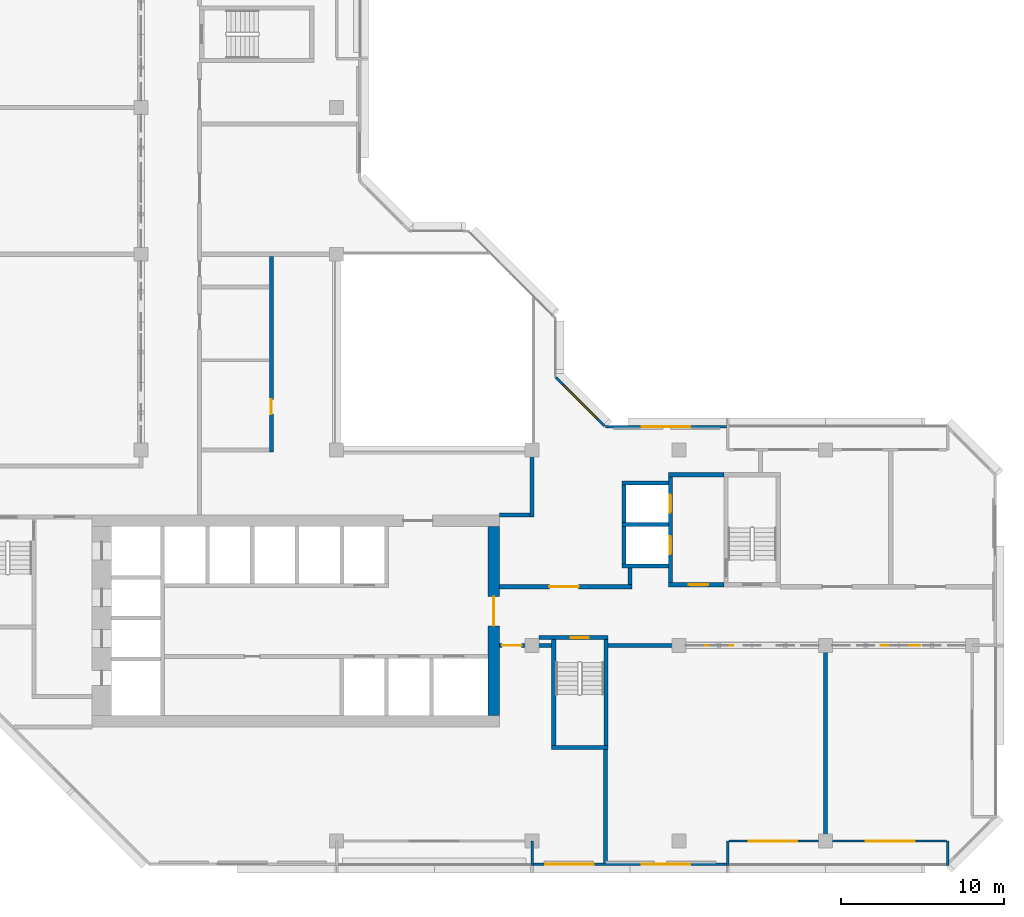
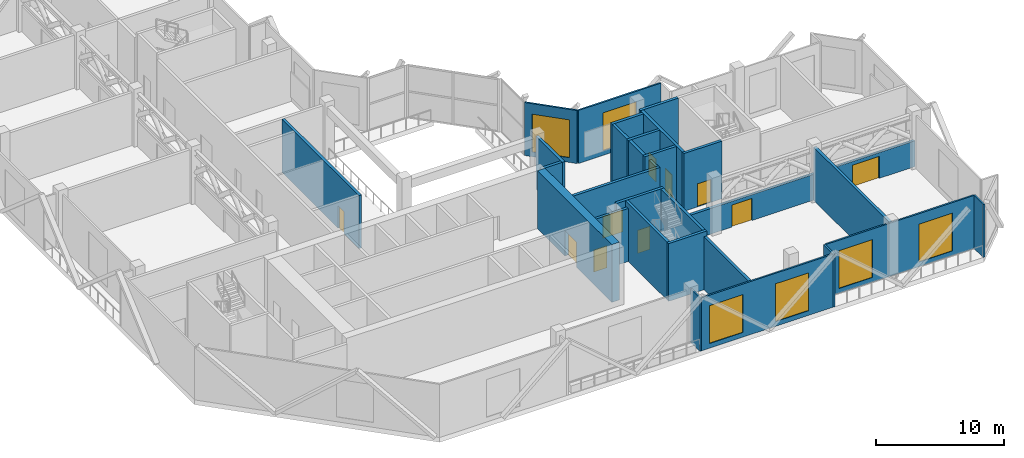
# One storey, part 7 of 14: 29 walls, 10 doors, 6 windows, 16 openings.
"""IFC4 building model written with IfcOpenShell, lengths in metres."""

from ifc_helpers import new_model, si_unit, direction, frame, frame_2d, origin, place, context, subcontext, project, spatial, rectangle, extrude, material, layer, layer_set, type_object, element, fill, save


model = new_model("IFC4")

# Units and contexts
model_context = context("Model", 3, precision=1e-05, world=origin(), true_north=direction((0.0, 1.0)))
body_context = subcontext(model_context, "Body", "Model", "MODEL_VIEW")
ifc_project = project(units=[si_unit("LENGTHUNIT", "METRE"), si_unit("AREAUNIT", "SQUARE_METRE"), si_unit("VOLUMEUNIT", "CUBIC_METRE"), si_unit("PLANEANGLEUNIT", "RADIAN"), si_unit("MASSUNIT", "GRAM", prefix="KILO")], contexts=[model_context])

# Site, building, storey
site_placement = place(None, origin())
site = spatial("IfcSite", under=ifc_project, at=site_placement, CompositionType="ELEMENT")
building_placement = place(site_placement, origin())
building = spatial("IfcBuilding", under=site, at=building_placement, Name="Chenar Terraces", CompositionType="ELEMENT")
storey_placement = place(building_placement, frame((0.0, 0.0, 256.64990234375)))
storey = spatial("IfcBuildingStorey", under=building, at=storey_placement, Name="L61", CompositionType="ELEMENT", Elevation=256.64990234375)

# Wall
ifc_material_1 = material(Name="Concrete C60/75", Category="concrete")
ifc_layer_1 = layer(ifc_material_1, 0.25)
ifc_layer_set_1 = layer_set([ifc_layer_1], Name="Concrete C60/75")
wall_type_1 = type_object("IfcWallType", Name="Core wall 250 Concrete C60/75", PredefinedType="SHEAR", material=ifc_layer_set_1)
wall_1_placement = place(storey_placement, frame((37.199951171875, 5.72509765625, 0.0), z_axis=(0.0, 0.0, 1.0), x_axis=(1.0, 0.0, 0.0)))
element("IfcWall", 1, at=wall_1_placement, inside=storey, type_object=wall_type_1, Name="Core wall ST2_S L61", PredefinedType="SHEAR", context=body_context, shape_type="SweptSolid", body=[
    extrude(rectangle(XDim=3.449951171875, YDim=0.25, at=frame_2d((1.72509765625, 0.0))), origin(), (0.0, 0.0, 1.0), 5.5),
])

# Wall, opening, door
wall_2_placement = place(storey_placement, frame((36.425048828125, 12.47509765625, 0.0), z_axis=(0.0, 0.0, 1.0), x_axis=(1.0, 0.0, 0.0)))
wall_2 = element("IfcWall", 2, at=wall_2_placement, inside=storey, type_object=wall_type_1, Name="Core wall ST2_N L61", PredefinedType="SHEAR", context=body_context, shape_type="SweptSolid", body=[
    extrude(rectangle(XDim=4.224853515625, YDim=0.25, at=frame_2d((2.1123046875, 0.0))), origin(), (0.0, 0.0, 1.0), 5.5),
])
opening_1_placement = place(wall_2_placement, frame((1.949951171875, 0.0, 0.0)))
opening_1 = element("IfcOpeningElement", 3, at=opening_1_placement, cuts=wall_2, Name="Opening DL61-C7", PredefinedType="OPENING", context=body_context, shape_type="SweptSolid", body=[
    extrude(rectangle(XDim=1.10009765625, YDim=2.199951171875, at=frame_2d((0.550048828125, 1.10009765625))), frame((0.0, 0.135009765625, 0.0), z_axis=(0.0, -1.0, 0.0), x_axis=(1.0, 0.0, 0.0)), (0.0, 0.0, 1.0), 0.27001953125),
])
ifc_material_2 = material(Name="Steel-framed fire-resisting door leaf", Category="steel")
door_type_1 = type_object("IfcDoorType", Name="Stair fire door FD60 1100 x 2200", OperationType="SINGLE_SWING_LEFT", PredefinedType="DOOR", material=ifc_material_2)
door_1_placement = place(opening_1_placement, frame((1.10009765625, 0.0, 0.0), z_axis=(0.0, 0.0, 1.0), x_axis=(-1.0, 0.0, 0.0)))
door_1 = element("IfcDoor", 4, at=door_1_placement, inside=storey, type_object=door_type_1, Name="Stair door DL61-C7", OperationType="SINGLE_SWING_LEFT", OverallHeight=2.199951171875, OverallWidth=1.10009765625, PredefinedType="DOOR", context=body_context, shape_type="SweptSolid", body=[
    extrude(rectangle(XDim=1.10009765625, YDim=2.199951171875, at=frame_2d((0.550048828125, 1.10009765625))), frame((0.0, 0.02490234375, 0.0), z_axis=(0.0, -1.0, 0.0), x_axis=(1.0, 0.0, 0.0)), (0.0, 0.0, 1.0), 0.050048828125),
])
fill(opening_1, door_1)

# Walls
for number, where, z_axis, x_axis, name in (
    (5, (37.324951171875, 5.85009765625, 0.0), (0.0, 0.0, 1.0), (0.0, 1.0, 0.0), "Core wall ST2_W L61"),
    (6, (40.52490234375, 5.85009765625, 0.0), (0.0, 0.0, 1.0), (0.0, 1.0, 0.0), "Core wall ST2_E L61"),
):
    element("IfcWall", number, at=place(storey_placement, frame(where, z_axis=z_axis, x_axis=x_axis)), inside=storey, type_object=wall_type_1, Name=name, PredefinedType="SHEAR", context=body_context, shape_type="SweptSolid", body=[
        extrude(rectangle(XDim=6.5, YDim=0.25, at=frame_2d((3.25, 0.0))), origin(), (0.0, 0.0, 1.0), 5.5),
    ])

# Wall, opening, door
wall_3_placement = place(storey_placement, frame((44.35009765625, 15.72509765625, 0.0), z_axis=(0.0, 0.0, 1.0), x_axis=(1.0, 0.0, 0.0)))
wall_3 = element("IfcWall", 7, at=wall_3_placement, inside=storey, type_object=wall_type_1, Name="Core wall F3_LS L61", PredefinedType="SHEAR", context=body_context, shape_type="SweptSolid", body=[
    extrude(rectangle(XDim=3.4248046875, YDim=0.25, at=frame_2d((1.71240234375, 0.0))), origin(), (0.0, 0.0, 1.0), 5.5),
])
opening_2_placement = place(wall_3_placement, frame((1.25, 0.0, 0.0)))
opening_2 = element("IfcOpeningElement", 8, at=opening_2_placement, cuts=wall_3, Name="Opening DL61-C10", PredefinedType="OPENING", context=body_context, shape_type="SweptSolid", body=[
    extrude(rectangle(XDim=1.199951171875, YDim=2.199951171875, at=frame_2d((0.60009765625, 1.10009765625))), frame((0.0, 0.135009765625, 0.0), z_axis=(0.0, -1.0, 0.0), x_axis=(1.0, 0.0, 0.0)), (0.0, 0.0, 1.0), 0.27001953125),
])
ifc_material_3 = material(Name="Steel-framed fire-resisting door leaf", Category="steel")
door_type_2 = type_object("IfcDoorType", Name="Lobby fire door FD60 1200 x 2200", OperationType="SINGLE_SWING_LEFT", PredefinedType="DOOR", material=ifc_material_3)
door_2_placement = place(opening_2_placement, origin())
door_2 = element("IfcDoor", 9, at=door_2_placement, inside=storey, type_object=door_type_2, Name="Core door DL61-C10", OperationType="SINGLE_SWING_RIGHT", OverallHeight=2.199951171875, OverallWidth=1.199951171875, PredefinedType="DOOR", context=body_context, shape_type="SweptSolid", body=[
    extrude(rectangle(XDim=1.199951171875, YDim=2.199951171875, at=frame_2d((0.60009765625, 1.10009765625))), frame((0.0, 0.02490234375, 0.0), z_axis=(0.0, -1.0, 0.0), x_axis=(1.0, 0.0, 0.0)), (0.0, 0.0, 1.0), 0.050048828125),
])
fill(opening_2, door_2)

# Wall
wall_4_placement = place(storey_placement, frame((44.35009765625, 22.47509765625, 0.0), z_axis=(0.0, 0.0, 1.0), x_axis=(1.0, 0.0, 0.0)))
element("IfcWall", 10, at=wall_4_placement, inside=storey, type_object=wall_type_1, Name="Core wall F3_LN L61", PredefinedType="SHEAR", context=body_context, shape_type="SweptSolid", body=[
    extrude(rectangle(XDim=3.4248046875, YDim=0.25, at=frame_2d((1.71240234375, 0.0))), origin(), (0.0, 0.0, 1.0), 5.5),
])

# Wall, openings, doors
wall_5_placement = place(storey_placement, frame((44.47509765625, 15.85009765625, 0.0), z_axis=(0.0, 0.0, 1.0), x_axis=(0.0, 1.0, 0.0)))
wall_5 = element("IfcWall", 11, at=wall_5_placement, inside=storey, type_object=wall_type_1, Name="Core wall F3_LW L61", PredefinedType="SHEAR", context=body_context, shape_type="SweptSolid", body=[
    extrude(rectangle(XDim=6.5, YDim=0.25, at=frame_2d((3.25, 0.0))), origin(), (0.0, 0.0, 1.0), 5.5),
])
opening_3_placement = place(wall_5_placement, frame((1.75, 0.0, 0.0)))
opening_3 = element("IfcOpeningElement", 12, at=opening_3_placement, cuts=wall_5, Name="Opening DL61-LD8", PredefinedType="OPENING", context=body_context, shape_type="SweptSolid", body=[
    extrude(rectangle(XDim=1.10009765625, YDim=2.199951171875, at=frame_2d((0.550048828125, 1.10009765625))), frame((0.0, 0.135009765625, 0.0), z_axis=(0.0, -1.0, 0.0), x_axis=(1.0, 0.0, 0.0)), (0.0, 0.0, 1.0), 0.27001953125),
])
opening_4_placement = place(wall_5_placement, frame((4.300048828125, 0.0, 0.0)))
opening_4 = element("IfcOpeningElement", 13, at=opening_4_placement, cuts=wall_5, Name="Opening DL61-LD9", PredefinedType="OPENING", context=body_context, shape_type="SweptSolid", body=[
    extrude(rectangle(XDim=1.10009765625, YDim=2.199951171875, at=frame_2d((0.550048828125, 1.10009765625))), frame((0.0, 0.135009765625, 0.0), z_axis=(0.0, -1.0, 0.0), x_axis=(1.0, 0.0, 0.0)), (0.0, 0.0, 1.0), 0.27001953125),
])
ifc_material_4 = material(Name="Stainless steel", Category="steel")
door_type_3 = type_object("IfcDoorType", Name="Lift landing door 1100 x 2200 sliding", OperationType="DOUBLE_DOOR_SLIDING", PredefinedType="DOOR", material=ifc_material_4)
door_3_placement = place(opening_3_placement, origin())
door_3 = element("IfcDoor", 14, at=door_3_placement, inside=storey, type_object=door_type_3, Name="Landing door F3", OperationType="DOUBLE_DOOR_SLIDING", OverallHeight=2.199951171875, OverallWidth=1.10009765625, PredefinedType="DOOR", context=body_context, shape_type="SweptSolid", body=[
    extrude(rectangle(XDim=1.10009765625, YDim=2.199951171875, at=frame_2d((0.550048828125, 1.10009765625))), frame((0.0, 0.02490234375, 0.0), z_axis=(0.0, -1.0, 0.0), x_axis=(1.0, 0.0, 0.0)), (0.0, 0.0, 1.0), 0.050048828125),
])
fill(opening_3, door_3)
door_4_placement = place(opening_4_placement, origin())
door_4 = element("IfcDoor", 15, at=door_4_placement, inside=storey, type_object=door_type_3, Name="Landing door F4", OperationType="DOUBLE_DOOR_SLIDING", OverallHeight=2.199951171875, OverallWidth=1.10009765625, PredefinedType="DOOR", context=body_context, shape_type="SweptSolid", body=[
    extrude(rectangle(XDim=1.10009765625, YDim=2.199951171875, at=frame_2d((0.550048828125, 1.10009765625))), frame((0.0, 0.02490234375, 0.0), z_axis=(0.0, -1.0, 0.0), x_axis=(1.0, 0.0, 0.0)), (0.0, 0.0, 1.0), 0.050048828125),
])
fill(opening_4, door_4)

# Walls
for number, where, z_axis, x_axis, name in (
    (16, (41.5, 16.875, 0.0), (0.0, 0.0, 1.0), (1.0, 0.0, 0.0), "Core wall F3_SS L61"),
    (17, (41.5, 19.425048828125, 0.0), (0.0, 0.0, 1.0), (1.0, 0.0, 0.0), "Core wall F3_SM L61"),
    (18, (41.5, 21.97509765625, 0.0), (0.0, 0.0, 1.0), (1.0, 0.0, 0.0), "Core wall F4_SN L61"),
):
    element("IfcWall", number, at=place(storey_placement, frame(where, z_axis=z_axis, x_axis=x_axis)), inside=storey, type_object=wall_type_1, Name=name, PredefinedType="SHEAR", context=body_context, shape_type="SweptSolid", body=[
        extrude(rectangle(XDim=2.85009765625, YDim=0.25, at=frame_2d((1.425048828125, 0.0))), origin(), (0.0, 0.0, 1.0), 5.5),
    ])
for number, where, z_axis, x_axis, name in (
    (19, (41.625, 17.0, 0.0), (0.0, 0.0, 1.0), (0.0, 1.0, 0.0), "Core wall F3_SW L61"),
    (20, (41.625, 19.550048828125, 0.0), (0.0, 0.0, 1.0), (0.0, 1.0, 0.0), "Core wall F4_SW L61"),
):
    element("IfcWall", number, at=place(storey_placement, frame(where, z_axis=z_axis, x_axis=x_axis)), inside=storey, type_object=wall_type_1, Name=name, PredefinedType="SHEAR", context=body_context, shape_type="SweptSolid", body=[
        extrude(rectangle(XDim=2.300048828125, YDim=0.25, at=frame_2d((1.14990234375, 0.0))), origin(), (0.0, 0.0, 1.0), 5.5),
    ])

# Wall, opening, door
ifc_material_5 = material(Name="Concrete C60/75", Category="concrete")
ifc_layer_2 = layer(ifc_material_5, 0.699951171875)
ifc_layer_set_2 = layer_set([ifc_layer_2], Name="Concrete C60/75")
wall_type_2 = type_object("IfcWallType", Name="Core wall 700 Concrete C60/75", PredefinedType="SHEAR", material=ifc_layer_set_2)
wall_6_placement = place(storey_placement, frame((33.64990234375, 7.699951171875, 0.0), z_axis=(0.0, 0.0, 1.0), x_axis=(0.0, 1.0, 0.0)))
wall_6 = element("IfcWall", 21, at=wall_6_placement, inside=storey, type_object=wall_type_2, Name="Core wall E L61", PredefinedType="SHEAR", context=body_context, shape_type="SweptSolid", body=[
    extrude(rectangle(XDim=11.60009765625, YDim=0.699951171875, at=frame_2d((5.800048828125, 0.0))), origin(), (0.0, 0.0, 1.0), 5.5),
])
opening_5_placement = place(wall_6_placement, frame((5.5, 0.0, 0.0)))
opening_5 = element("IfcOpeningElement", 22, at=opening_5_placement, cuts=wall_6, Name="Opening DL61-C1", PredefinedType="OPENING", context=body_context, shape_type="SweptSolid", body=[
    extrude(rectangle(XDim=1.800048828125, YDim=2.39990234375, at=frame_2d((0.89990234375, 1.199951171875))), frame((0.0, 0.35986328125, 0.0), z_axis=(0.0, -1.0, 0.0), x_axis=(1.0, 0.0, 0.0)), (0.0, 0.0, 1.0), 0.719970703125),
])
ifc_material_6 = material(Name="Steel-framed fire-resisting door leaf", Category="steel")
door_type_4 = type_object("IfcDoorType", Name="Core entrance double fire door FD60 1800 x 2400", OperationType="DOUBLE_DOOR_SINGLE_SWING", PredefinedType="DOOR", material=ifc_material_6)
door_5_placement = place(opening_5_placement, origin())
door_5 = element("IfcDoor", 23, at=door_5_placement, inside=storey, type_object=door_type_4, Name="Core door DL61-C1", OperationType="DOUBLE_DOOR_SINGLE_SWING", OverallHeight=2.39990234375, OverallWidth=1.800048828125, PredefinedType="DOOR", context=body_context, shape_type="SweptSolid", body=[
    extrude(rectangle(XDim=1.800048828125, YDim=2.39990234375, at=frame_2d((0.89990234375, 1.199951171875))), frame((0.0, 0.02490234375, 0.0), z_axis=(0.0, -1.0, 0.0), x_axis=(1.0, 0.0, 0.0)), (0.0, 0.0, 1.0), 0.050048828125),
])
fill(opening_5, door_5)

# Wall, opening, window
ifc_material_7 = material(Name="Aluminium framed glazing", Category="aluminium")
ifc_layer_3 = layer(ifc_material_7, 0.14990234375)
ifc_layer_set_3 = layer_set([ifc_layer_3], Name="Aluminium framed glazing")
wall_type_3 = type_object("IfcWallType", Name="Glazed flush facade wall 150", PredefinedType="SOLIDWALL", material=ifc_layer_set_3)
wall_7_placement = place(storey_placement, frame((47.925048828125, 25.425048828125, 0.0), z_axis=(0.0, 0.0, 1.0), x_axis=(-1.0, 0.0, 0.0)))
wall_7 = element("IfcWall", 24, at=wall_7_placement, inside=storey, type_object=wall_type_3, Name="Glazed flush facade wall", PredefinedType="SOLIDWALL", context=body_context, shape_type="SweptSolid", body=[
    extrude(rectangle(XDim=7.425048828125, YDim=0.14990234375, at=frame_2d((3.71240234375, 0.0))), origin(), (0.0, 0.0, 1.0), 5.050048828125),
])
opening_6_placement = place(wall_7_placement, frame((2.21240234375, 0.0, 0.449951171875)))
opening_6 = element("IfcOpeningElement", 25, at=opening_6_placement, cuts=wall_7, Name="Opening W300x360", PredefinedType="OPENING", context=body_context, shape_type="SweptSolid", body=[
    extrude(rectangle(XDim=3.0, YDim=3.60009765625, at=frame_2d((1.5, 1.800048828125))), frame((0.0, 0.0849609375, 0.0), z_axis=(0.0, -1.0, 0.0), x_axis=(1.0, 0.0, 0.0)), (0.0, 0.0, 1.0), 0.169921875),
])
ifc_material_8 = material(Name="Low emissivity double glazing, aluminium frame", Category="aluminium")
window_type = type_object("IfcWindowType", Name="Fixed light 3000 x 3600", PartitioningType="SINGLE_PANEL", PredefinedType="WINDOW", material=ifc_material_8)
window_1_placement = place(opening_6_placement, origin())
window_1 = element("IfcWindow", 26, at=window_1_placement, inside=storey, type_object=window_type, Name="Window", OverallHeight=3.60009765625, OverallWidth=3.0, PartitioningType="SINGLE_PANEL", PredefinedType="WINDOW", context=body_context, shape_type="SweptSolid", body=[
    extrude(rectangle(XDim=3.0, YDim=3.60009765625, at=frame_2d((1.5, 1.800048828125))), frame((0.0, 0.030029296875, 0.0), z_axis=(0.0, -1.0, 0.0), x_axis=(1.0, 0.0, 0.0)), (0.0, 0.0, 1.0), 0.06005859375),
])
fill(opening_6, window_1)

# Wall, openings, windows
wall_8_placement = place(storey_placement, frame((36.074951171875, -1.425048828125, 0.0), z_axis=(0.0, 0.0, 1.0), x_axis=(1.0, 0.0, 0.0)))
wall_8 = element("IfcWall", 27, at=wall_8_placement, inside=storey, type_object=wall_type_3, Name="Glazed flush facade wall", PredefinedType="SOLIDWALL", context=body_context, shape_type="SweptSolid", body=[
    extrude(rectangle(XDim=11.85009765625, YDim=0.14990234375, at=frame_2d((5.925048828125, 0.0))), origin(), (0.0, 0.0, 1.0), 5.050048828125),
])
opening_7_placement = place(wall_8_placement, frame((0.71240234375, 0.0, 0.449951171875)))
opening_7 = element("IfcOpeningElement", 28, at=opening_7_placement, cuts=wall_8, Name="Opening W300x360", PredefinedType="OPENING", context=body_context, shape_type="SweptSolid", body=[
    extrude(rectangle(XDim=3.0, YDim=3.60009765625, at=frame_2d((1.5, 1.800048828125))), frame((0.0, 0.0849609375, 0.0), z_axis=(0.0, -1.0, 0.0), x_axis=(1.0, 0.0, 0.0)), (0.0, 0.0, 1.0), 0.169921875),
])
opening_8_placement = place(wall_8_placement, frame((6.637451171875, 0.0, 0.449951171875)))
opening_8 = element("IfcOpeningElement", 29, at=opening_8_placement, cuts=wall_8, Name="Opening W300x360", PredefinedType="OPENING", context=body_context, shape_type="SweptSolid", body=[
    extrude(rectangle(XDim=3.0, YDim=3.60009765625, at=frame_2d((1.5, 1.800048828125))), frame((0.0, 0.0849609375, 0.0), z_axis=(0.0, -1.0, 0.0), x_axis=(1.0, 0.0, 0.0)), (0.0, 0.0, 1.0), 0.169921875),
])
window_2_placement = place(opening_7_placement, origin())
window_2 = element("IfcWindow", 30, at=window_2_placement, inside=storey, type_object=window_type, Name="Window", OverallHeight=3.60009765625, OverallWidth=3.0, PartitioningType="SINGLE_PANEL", PredefinedType="WINDOW", context=body_context, shape_type="SweptSolid", body=[
    extrude(rectangle(XDim=3.0, YDim=3.60009765625, at=frame_2d((1.5, 1.800048828125))), frame((0.0, 0.030029296875, 0.0), z_axis=(0.0, -1.0, 0.0), x_axis=(1.0, 0.0, 0.0)), (0.0, 0.0, 1.0), 0.06005859375),
])
fill(opening_7, window_2)
window_3_placement = place(opening_8_placement, origin())
window_3 = element("IfcWindow", 31, at=window_3_placement, inside=storey, type_object=window_type, Name="Window", OverallHeight=3.60009765625, OverallWidth=3.0, PartitioningType="SINGLE_PANEL", PredefinedType="WINDOW", context=body_context, shape_type="SweptSolid", body=[
    extrude(rectangle(XDim=3.0, YDim=3.60009765625, at=frame_2d((1.5, 1.800048828125))), frame((0.0, 0.030029296875, 0.0), z_axis=(0.0, -1.0, 0.0), x_axis=(1.0, 0.0, 0.0)), (0.0, 0.0, 1.0), 0.06005859375),
])
fill(opening_8, window_3)

ifc_material_9 = material(Name="Aluminium framed glazing", Category="aluminium")
ifc_layer_4 = layer(ifc_material_9, 0.14990234375)
ifc_layer_set_4 = layer_set([ifc_layer_4], Name="Aluminium framed glazing")
wall_type_4 = type_object("IfcWallType", Name="Glazed loggia back wall 150", PredefinedType="SOLIDWALL", material=ifc_layer_set_4)
wall_9_placement = place(storey_placement, frame((48.074951171875, 0.0, 0.0), z_axis=(0.0, 0.0, 1.0), x_axis=(1.0, 0.0, 0.0)))
wall_9 = element("IfcWall", 32, at=wall_9_placement, inside=storey, type_object=wall_type_4, Name="Glazed loggia back wall", PredefinedType="SOLIDWALL", context=body_context, shape_type="SweptSolid", body=[
    extrude(rectangle(XDim=13.35009765625, YDim=0.14990234375, at=frame_2d((6.675048828125, 0.0))), origin(), (0.0, 0.0, 1.0), 5.050048828125),
])
opening_9_placement = place(wall_9_placement, frame((1.199951171875, 0.0, 0.449951171875)))
opening_9 = element("IfcOpeningElement", 33, at=opening_9_placement, cuts=wall_9, Name="Opening W300x360", PredefinedType="OPENING", context=body_context, shape_type="SweptSolid", body=[
    extrude(rectangle(XDim=3.0, YDim=3.60009765625, at=frame_2d((1.5, 1.800048828125))), frame((0.0, 0.0849609375, 0.0), z_axis=(0.0, -1.0, 0.0), x_axis=(1.0, 0.0, 0.0)), (0.0, 0.0, 1.0), 0.169921875),
])
opening_10_placement = place(wall_9_placement, frame((8.39990234375, 0.0, 0.449951171875)))
opening_10 = element("IfcOpeningElement", 34, at=opening_10_placement, cuts=wall_9, Name="Opening W300x360", PredefinedType="OPENING", context=body_context, shape_type="SweptSolid", body=[
    extrude(rectangle(XDim=3.0, YDim=3.60009765625, at=frame_2d((1.5, 1.800048828125))), frame((0.0, 0.0849609375, 0.0), z_axis=(0.0, -1.0, 0.0), x_axis=(1.0, 0.0, 0.0)), (0.0, 0.0, 1.0), 0.169921875),
])
window_4_placement = place(opening_9_placement, origin())
window_4 = element("IfcWindow", 35, at=window_4_placement, inside=storey, type_object=window_type, Name="Window", OverallHeight=3.60009765625, OverallWidth=3.0, PartitioningType="SINGLE_PANEL", PredefinedType="WINDOW", context=body_context, shape_type="SweptSolid", body=[
    extrude(rectangle(XDim=3.0, YDim=3.60009765625, at=frame_2d((1.5, 1.800048828125))), frame((0.0, 0.030029296875, 0.0), z_axis=(0.0, -1.0, 0.0), x_axis=(1.0, 0.0, 0.0)), (0.0, 0.0, 1.0), 0.06005859375),
])
fill(opening_9, window_4)
window_5_placement = place(opening_10_placement, origin())
window_5 = element("IfcWindow", 36, at=window_5_placement, inside=storey, type_object=window_type, Name="Window", OverallHeight=3.60009765625, OverallWidth=3.0, PartitioningType="SINGLE_PANEL", PredefinedType="WINDOW", context=body_context, shape_type="SweptSolid", body=[
    extrude(rectangle(XDim=3.0, YDim=3.60009765625, at=frame_2d((1.5, 1.800048828125))), frame((0.0, 0.030029296875, 0.0), z_axis=(0.0, -1.0, 0.0), x_axis=(1.0, 0.0, 0.0)), (0.0, 0.0, 1.0), 0.06005859375),
])
fill(opening_10, window_5)

# Walls
ifc_material_10 = material(Name="Terracotta cladding on insulated backing", Category="masonry")
ifc_layer_5 = layer(ifc_material_10, 0.14990234375)
ifc_layer_set_5 = layer_set([ifc_layer_5], Name="Terracotta cladding on insulated backing")
wall_type_5 = type_object("IfcWallType", Name="Loggia return wall 150", PredefinedType="SOLIDWALL", material=ifc_layer_set_5)
for number, where, z_axis, x_axis, name in (
    (37, (36.0, -1.5, 0.0), (0.0, 0.0, 1.0), (0.0, 1.0, 0.0), "Loggia return wall"),
    (38, (48.0, -1.5, 0.0), (0.0, 0.0, 1.0), (0.0, 1.0, 0.0), "Loggia return wall"),
    (39, (61.5, -1.5, 0.0), (0.0, 0.0, 1.0), (0.0, 1.0, 0.0), "Loggia return wall"),
):
    element("IfcWall", number, at=place(storey_placement, frame(where, z_axis=z_axis, x_axis=x_axis)), inside=storey, type_object=wall_type_5, Name=name, PredefinedType="SOLIDWALL", context=body_context, shape_type="SweptSolid", body=[
        extrude(rectangle(XDim=1.5, YDim=0.14990234375, at=frame_2d((0.75, 0.0))), origin(), (0.0, 0.0, 1.0), 5.050048828125),
    ])

# Wall, opening, door
ifc_material_11 = material(Name="Fire-board and steel stud wall with mineral wool", Category="steel")
ifc_layer_6 = layer(ifc_material_11, 0.25)
ifc_layer_set_6 = layer_set([ifc_layer_6], Name="Fire-board and steel stud wall with mineral wool")
wall_type_6 = type_object("IfcWallType", Name="Refuge compartment wall 250", PredefinedType="PARTITIONING", material=ifc_layer_set_6)
wall_10_placement = place(storey_placement, frame((20.0, 23.875, 0.0), z_axis=(0.0, 0.0, 1.0), x_axis=(0.0, 1.0, 0.0)))
wall_10 = element("IfcWall", 40, at=wall_10_placement, inside=storey, type_object=wall_type_6, Name="Partition L61-018", PredefinedType="PARTITIONING", context=body_context, shape_type="SweptSolid", body=[
    extrude(rectangle(XDim=12.0, YDim=0.25, at=frame_2d((6.0, 0.0))), origin(), (0.0, 0.0, 1.0), 5.050048828125),
])
opening_11_placement = place(wall_10_placement, frame((2.324951171875, 0.0, 0.0)))
opening_11 = element("IfcOpeningElement", 41, at=opening_11_placement, cuts=wall_10, Name="Opening DL61-18", PredefinedType="OPENING", context=body_context, shape_type="SweptSolid", body=[
    extrude(rectangle(XDim=0.89990234375, YDim=2.10009765625, at=frame_2d((0.449951171875, 1.050048828125))), frame((0.0, 0.135009765625, 0.0), z_axis=(0.0, -1.0, 0.0), x_axis=(1.0, 0.0, 0.0)), (0.0, 0.0, 1.0), 0.27001953125),
])
ifc_material_12 = material(Name="Steel-framed fire-resisting door leaf", Category="steel")
door_type_5 = type_object("IfcDoorType", Name="Fire door FD120 900 x 2100", OperationType="SINGLE_SWING_LEFT", PredefinedType="DOOR", material=ifc_material_12)
door_6_placement = place(opening_11_placement, origin())
door_6 = element("IfcDoor", 42, at=door_6_placement, inside=storey, type_object=door_type_5, Name="Door DL61-18", OperationType="SINGLE_SWING_LEFT", OverallHeight=2.10009765625, OverallWidth=0.89990234375, PredefinedType="DOOR", context=body_context, shape_type="SweptSolid", body=[
    extrude(rectangle(XDim=0.89990234375, YDim=2.10009765625, at=frame_2d((0.449951171875, 1.050048828125))), frame((0.0, 0.02490234375, 0.0), z_axis=(0.0, -1.0, 0.0), x_axis=(1.0, 0.0, 0.0)), (0.0, 0.0, 1.0), 0.050048828125),
])
fill(opening_11, door_6)

wall_11_placement = place(storey_placement, frame((34.0, 12.0, 0.0), z_axis=(0.0, 0.0, 1.0), x_axis=(1.0, 0.0, 0.0)))
wall_11 = element("IfcWall", 43, at=wall_11_placement, inside=storey, type_object=wall_type_6, Name="Partition L61-019", PredefinedType="PARTITIONING", context=body_context, shape_type="SweptSolid", body=[
    extrude(rectangle(XDim=3.199951171875, YDim=0.25, at=frame_2d((1.60009765625, 0.0))), origin(), (0.0, 0.0, 1.0), 5.050048828125),
])
opening_12_placement = place(wall_11_placement, frame((0.14990234375, 0.0, 0.0)))
opening_12 = element("IfcOpeningElement", 44, at=opening_12_placement, cuts=wall_11, Name="Opening DL61-15", PredefinedType="OPENING", context=body_context, shape_type="SweptSolid", body=[
    extrude(rectangle(XDim=1.199951171875, YDim=2.10009765625, at=frame_2d((0.60009765625, 1.050048828125))), frame((0.0, 0.135009765625, 0.0), z_axis=(0.0, -1.0, 0.0), x_axis=(1.0, 0.0, 0.0)), (0.0, 0.0, 1.0), 0.27001953125),
])
ifc_material_13 = material(Name="Steel-framed fire-resisting door leaf", Category="steel")
door_type_6 = type_object("IfcDoorType", Name="Fire door FD120 1200 x 2100", OperationType="SINGLE_SWING_LEFT", PredefinedType="DOOR", material=ifc_material_13)
door_7_placement = place(opening_12_placement, frame((1.199951171875, 0.0, 0.0), z_axis=(0.0, 0.0, 1.0), x_axis=(-1.0, 0.0, 0.0)))
door_7 = element("IfcDoor", 45, at=door_7_placement, inside=storey, type_object=door_type_6, Name="Door DL61-15", OperationType="SINGLE_SWING_RIGHT", OverallHeight=2.10009765625, OverallWidth=1.199951171875, PredefinedType="DOOR", context=body_context, shape_type="SweptSolid", body=[
    extrude(rectangle(XDim=1.199951171875, YDim=2.10009765625, at=frame_2d((0.60009765625, 1.050048828125))), frame((0.0, 0.02490234375, 0.0), z_axis=(0.0, -1.0, 0.0), x_axis=(1.0, 0.0, 0.0)), (0.0, 0.0, 1.0), 0.050048828125),
])
fill(opening_12, door_7)

wall_12_placement = place(storey_placement, frame((34.0, 15.60009765625, 0.0), z_axis=(0.0, 0.0, 1.0), x_axis=(1.0, 0.0, 0.0)))
wall_12 = element("IfcWall", 46, at=wall_12_placement, inside=storey, type_object=wall_type_6, Name="Partition L61-020", PredefinedType="PARTITIONING", context=body_context, shape_type="SweptSolid", body=[
    extrude(rectangle(XDim=8.125, YDim=0.25, at=frame_2d((4.0625, 0.0))), origin(), (0.0, 0.0, 1.0), 5.050048828125),
])
opening_13_placement = place(wall_12_placement, frame((3.050048828125, 0.0, 0.0)))
opening_13 = element("IfcOpeningElement", 47, at=opening_13_placement, cuts=wall_12, Name="Opening DL61-1", PredefinedType="OPENING", context=body_context, shape_type="SweptSolid", body=[
    extrude(rectangle(XDim=1.800048828125, YDim=2.10009765625, at=frame_2d((0.89990234375, 1.050048828125))), frame((0.0, 0.135009765625, 0.0), z_axis=(0.0, -1.0, 0.0), x_axis=(1.0, 0.0, 0.0)), (0.0, 0.0, 1.0), 0.27001953125),
])
ifc_material_14 = material(Name="Steel-framed fire-resisting door leaf", Category="steel")
door_type_7 = type_object("IfcDoorType", Name="Fire double door FD120 1800 x 2100", OperationType="DOUBLE_DOOR_SINGLE_SWING", PredefinedType="DOOR", material=ifc_material_14)
door_8_placement = place(opening_13_placement, origin())
door_8 = element("IfcDoor", 48, at=door_8_placement, inside=storey, type_object=door_type_7, Name="Door DL61-1", OperationType="DOUBLE_DOOR_SINGLE_SWING", OverallHeight=2.10009765625, OverallWidth=1.800048828125, PredefinedType="DOOR", context=body_context, shape_type="SweptSolid", body=[
    extrude(rectangle(XDim=1.800048828125, YDim=2.10009765625, at=frame_2d((0.89990234375, 1.050048828125))), frame((0.0, 0.02490234375, 0.0), z_axis=(0.0, -1.0, 0.0), x_axis=(1.0, 0.0, 0.0)), (0.0, 0.0, 1.0), 0.050048828125),
])
fill(opening_13, door_8)

# Walls
wall_13_placement = place(storey_placement, frame((34.0, 20.0, 0.0), z_axis=(0.0, 0.0, 1.0), x_axis=(1.0, 0.0, 0.0)))
element("IfcWall", 49, at=wall_13_placement, inside=storey, type_object=wall_type_6, Name="Partition L61-021", PredefinedType="PARTITIONING", context=body_context, shape_type="SweptSolid", body=[
    extrude(rectangle(XDim=1.875, YDim=0.25, at=frame_2d((0.9375, 0.0))), origin(), (0.0, 0.0, 1.0), 5.050048828125),
])
wall_14_placement = place(storey_placement, frame((36.0, 19.875, 0.0), z_axis=(0.0, 0.0, 1.0), x_axis=(0.0, 1.0, 0.0)))
element("IfcWall", 50, at=wall_14_placement, inside=storey, type_object=wall_type_6, Name="Partition L61-022", PredefinedType="PARTITIONING", context=body_context, shape_type="SweptSolid", body=[
    extrude(rectangle(XDim=4.125, YDim=0.25, at=frame_2d((2.0625, 0.0))), origin(), (0.0, 0.0, 1.0), 5.050048828125),
])
wall_15_placement = place(storey_placement, frame((40.5, -1.35009765625, 0.0), z_axis=(0.0, 0.0, 1.0), x_axis=(0.0, 1.0, 0.0)))
element("IfcWall", 51, at=wall_15_placement, inside=storey, type_object=wall_type_6, Name="Partition L61-023", PredefinedType="PARTITIONING", context=body_context, shape_type="SweptSolid", body=[
    extrude(rectangle(XDim=6.9501953125, YDim=0.25, at=frame_2d((3.47509765625, 0.0))), origin(), (0.0, 0.0, 1.0), 5.050048828125),
])

# Wall, openings, doors
wall_16_placement = place(storey_placement, frame((40.64990234375, 12.0, 0.0), z_axis=(0.0, 0.0, 1.0), x_axis=(1.0, 0.0, 0.0)))
wall_16 = element("IfcWall", 52, at=wall_16_placement, inside=storey, type_object=wall_type_6, Name="Partition L61-024", PredefinedType="PARTITIONING", context=body_context, shape_type="SweptSolid", body=[
    extrude(rectangle(XDim=22.35009765625, YDim=0.25, at=frame_2d((11.175048828125, 0.0))), origin(), (0.0, 0.0, 1.0), 2.4501953125),
])
opening_14_placement = place(wall_16_placement, frame((5.89990234375, 0.0, 0.0)))
opening_14 = element("IfcOpeningElement", 53, at=opening_14_placement, cuts=wall_16, Name="Opening DL61-4", PredefinedType="OPENING", context=body_context, shape_type="SweptSolid", body=[
    extrude(rectangle(XDim=1.800048828125, YDim=2.10009765625, at=frame_2d((0.89990234375, 1.050048828125))), frame((0.0, 0.135009765625, 0.0), z_axis=(0.0, -1.0, 0.0), x_axis=(1.0, 0.0, 0.0)), (0.0, 0.0, 1.0), 0.27001953125),
])
opening_15_placement = place(wall_16_placement, frame((16.75, 0.0, 0.0)))
opening_15 = element("IfcOpeningElement", 54, at=opening_15_placement, cuts=wall_16, Name="Opening DL61-5", PredefinedType="OPENING", context=body_context, shape_type="SweptSolid", body=[
    extrude(rectangle(XDim=2.39990234375, YDim=2.10009765625, at=frame_2d((1.199951171875, 1.050048828125))), frame((0.0, 0.135009765625, 0.0), z_axis=(0.0, -1.0, 0.0), x_axis=(1.0, 0.0, 0.0)), (0.0, 0.0, 1.0), 0.27001953125),
])
door_9_placement = place(opening_14_placement, frame((1.800048828125, 0.0, 0.0), z_axis=(0.0, 0.0, 1.0), x_axis=(-1.0, 0.0, 0.0)))
door_9 = element("IfcDoor", 55, at=door_9_placement, inside=storey, type_object=door_type_7, Name="Door DL61-4", OperationType="DOUBLE_DOOR_SINGLE_SWING", OverallHeight=2.10009765625, OverallWidth=1.800048828125, PredefinedType="DOOR", context=body_context, shape_type="SweptSolid", body=[
    extrude(rectangle(XDim=1.800048828125, YDim=2.10009765625, at=frame_2d((0.89990234375, 1.050048828125))), frame((0.0, 0.02490234375, 0.0), z_axis=(0.0, -1.0, 0.0), x_axis=(1.0, 0.0, 0.0)), (0.0, 0.0, 1.0), 0.050048828125),
])
fill(opening_14, door_9)
ifc_material_15 = material(Name="Steel-framed fire-resisting door leaf", Category="steel")
door_type_8 = type_object("IfcDoorType", Name="Fire double door FD120 2400 x 2100", OperationType="DOUBLE_DOOR_SINGLE_SWING", PredefinedType="DOOR", material=ifc_material_15)
door_10_placement = place(opening_15_placement, frame((2.39990234375, 0.0, 0.0), z_axis=(0.0, 0.0, 1.0), x_axis=(-1.0, 0.0, 0.0)))
door_10 = element("IfcDoor", 56, at=door_10_placement, inside=storey, type_object=door_type_8, Name="Door DL61-5", OperationType="DOUBLE_DOOR_SINGLE_SWING", OverallHeight=2.10009765625, OverallWidth=2.39990234375, PredefinedType="DOOR", context=body_context, shape_type="SweptSolid", body=[
    extrude(rectangle(XDim=2.39990234375, YDim=2.10009765625, at=frame_2d((1.199951171875, 1.050048828125))), frame((0.0, 0.02490234375, 0.0), z_axis=(0.0, -1.0, 0.0), x_axis=(1.0, 0.0, 0.0)), (0.0, 0.0, 1.0), 0.050048828125),
])
fill(opening_15, door_10)

# Walls
wall_17_placement = place(storey_placement, frame((42.0, 15.72509765625, 0.0), z_axis=(0.0, 0.0, 1.0), x_axis=(0.0, 1.0, 0.0)))
element("IfcWall", 57, at=wall_17_placement, inside=storey, type_object=wall_type_6, Name="Partition L61-025", PredefinedType="PARTITIONING", context=body_context, shape_type="SweptSolid", body=[
    extrude(rectangle(XDim=1.02490234375, YDim=0.25, at=frame_2d((0.512451171875, 0.0))), origin(), (0.0, 0.0, 1.0), 5.050048828125),
])
wall_18_placement = place(storey_placement, frame((54.0, 0.073974609375, 0.0), z_axis=(0.0, 0.0, 1.0), x_axis=(0.0, 1.0, 0.0)))
element("IfcWall", 58, at=wall_18_placement, inside=storey, type_object=wall_type_6, Name="Partition L61-028", PredefinedType="PARTITIONING", context=body_context, shape_type="SweptSolid", body=[
    extrude(rectangle(XDim=11.801025390625, YDim=0.25, at=frame_2d((5.900390625, 0.0))), origin(), (0.0, 0.0, 1.0), 5.050048828125),
])

# Wall, opening, window
ifc_material_16 = material(Name="Terracotta cladding on insulated backing", Category="masonry")
ifc_layer_7 = layer(ifc_material_16, 0.14990234375)
ifc_layer_set_7 = layer_set([ifc_layer_7], Name="Terracotta cladding on insulated backing")
wall_type_7 = type_object("IfcWallType", Name="Terracotta rainscreen wall 150", PredefinedType="SOLIDWALL", material=ifc_layer_set_7)
wall_19_placement = place(storey_placement, frame((40.447021484375, 25.447021484375, 0.0), z_axis=(0.0, 0.0, 1.0), x_axis=(-0.707106781187, 0.707106781187, 0.0)))
wall_19 = element("IfcWall", 59, at=wall_19_placement, inside=storey, type_object=wall_type_7, Name="Terracotta rainscreen wall", PredefinedType="SOLIDWALL", context=body_context, shape_type="SweptSolid", body=[
    extrude(rectangle(XDim=4.24267578125, YDim=0.14990234375, at=frame_2d((2.121337890625, 0.0))), origin(), (0.0, 0.0, 1.0), 5.050048828125),
])
opening_16_placement = place(wall_19_placement, frame((0.621337890625, 0.0, 0.449951171875)))
opening_16 = element("IfcOpeningElement", 60, at=opening_16_placement, cuts=wall_19, Name="Opening W300x360", PredefinedType="OPENING", context=body_context, shape_type="SweptSolid", body=[
    extrude(rectangle(XDim=3.0, YDim=3.60009765625, at=frame_2d((1.5, 1.800048828125))), frame((0.0, 0.0849609375, 0.0), z_axis=(0.0, -1.0, 0.0), x_axis=(1.0, 0.0, 0.0)), (0.0, 0.0, 1.0), 0.169921875),
])
window_6_placement = place(opening_16_placement, origin())
window_6 = element("IfcWindow", 61, at=window_6_placement, inside=storey, type_object=window_type, Name="Window", OverallHeight=3.60009765625, OverallWidth=3.0, PartitioningType="SINGLE_PANEL", PredefinedType="WINDOW", context=body_context, shape_type="SweptSolid", body=[
    extrude(rectangle(XDim=3.0, YDim=3.60009765625, at=frame_2d((1.5, 1.800048828125))), frame((0.0, 0.030029296875, 0.0), z_axis=(0.0, -1.0, 0.0), x_axis=(1.0, 0.0, 0.0)), (0.0, 0.0, 1.0), 0.06005859375),
])
fill(opening_16, window_6)

save(model, "model.ifc")
